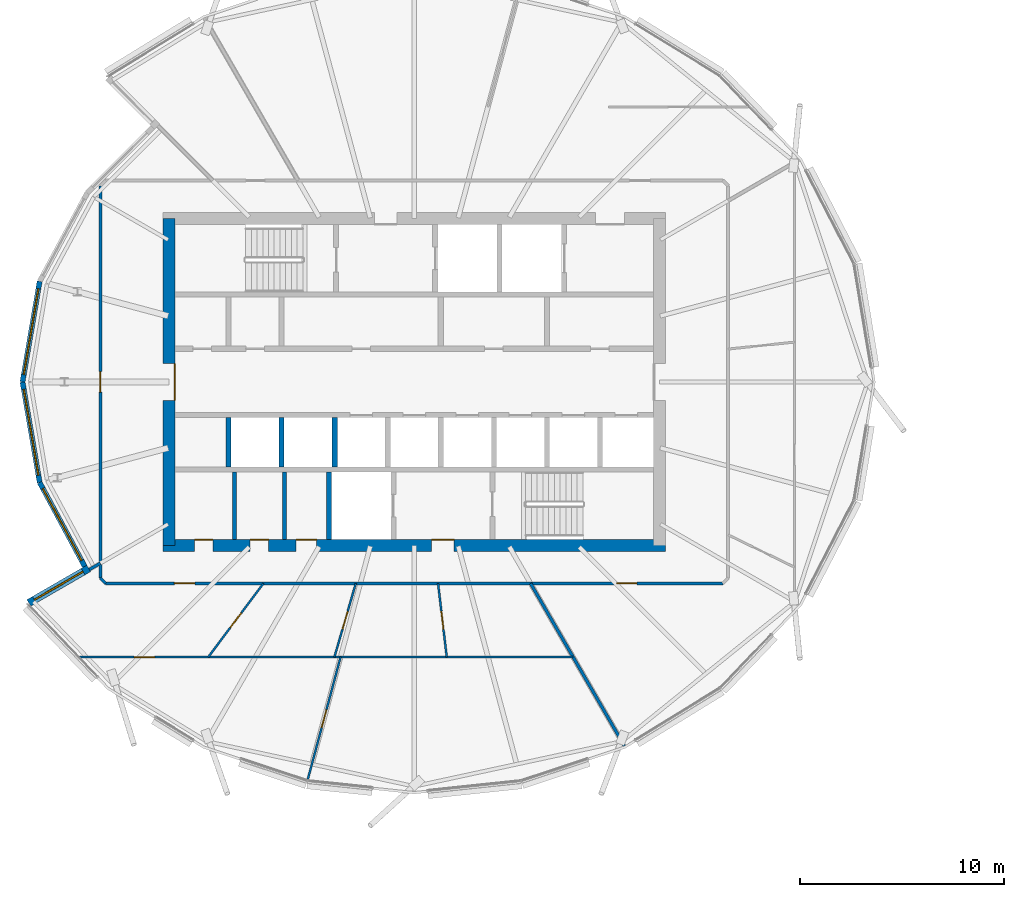
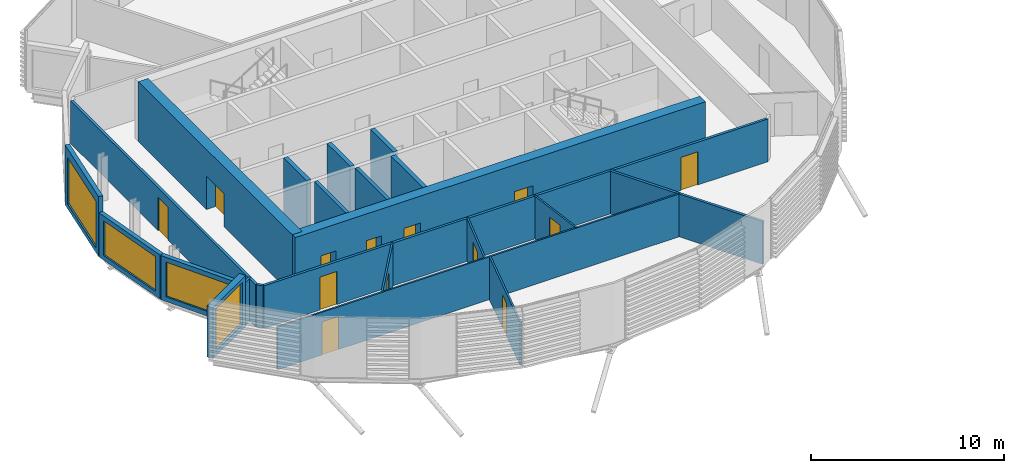
# One storey, part 19 of 37: 23 walls, 13 doors, 4 windows, 17 openings.
"""IFC4 building model written with IfcOpenShell, lengths in metres."""

from ifc_helpers import new_model, si_unit, direction, frame, frame_2d, origin, place, context, subcontext, project, spatial, rectangle, extrude, material, layer, layer_set, type_object, element, fill, save


model = new_model("IFC4")

# Units and contexts
model_context = context("Model", 3, precision=1e-05, world=origin(), true_north=direction((0.0, 1.0)))
body_context = subcontext(model_context, "Body", "Model", "MODEL_VIEW")
ifc_project = project(units=[si_unit("LENGTHUNIT", "METRE"), si_unit("AREAUNIT", "SQUARE_METRE"), si_unit("VOLUMEUNIT", "CUBIC_METRE"), si_unit("PLANEANGLEUNIT", "RADIAN"), si_unit("MASSUNIT", "GRAM", prefix="KILO")], contexts=[model_context])

# Site, building, storey
site_placement = place(None, origin())
site = spatial("IfcSite", under=ifc_project, at=site_placement, CompositionType="ELEMENT")
building_placement = place(site_placement, origin())
building = spatial("IfcBuilding", under=site, at=building_placement, Name="Rimbun Link Towers", CompositionType="ELEMENT")
storey_placement = place(building_placement, frame((0.0, 0.0, 166.5)))
storey = spatial("IfcBuildingStorey", under=building, at=storey_placement, Name="L40", CompositionType="ELEMENT", Elevation=166.5)

# Wall, opening, window
ifc_material_1 = material(Name="Dark enamelled glass spandrel on insulated aluminium backpan", Category="aluminium")
ifc_layer_1 = layer(ifc_material_1, 0.25)
ifc_layer_set_1 = layer_set([ifc_layer_1], Name="CS dark enamelled spandrel wall 250")
wall_type_1 = type_object("IfcWallType", Name="CS dark enamelled spandrel wall 250", PredefinedType="STANDARD", material=ifc_layer_set_1)
wall_1_placement = place(storey_placement, frame((-50.912841796875, 0.0, 0.0), z_axis=(0.0, 0.0, 1.0), x_axis=(0.167960198428, 0.985793777493, 0.0)))
wall_1 = element("IfcWall", 1, at=wall_1_placement, inside=storey, type_object=wall_type_1, Name="Crease spandrel wall", PredefinedType="STANDARD", context=body_context, shape_type="SweptSolid", body=[
    extrude(rectangle(XDim=4.989990234375, YDim=0.25, at=frame_2d((2.4951171875, 0.0))), origin(), (0.0, 0.0, 1.0), 3.800048828125),
])
opening_1_placement = place(wall_1_placement, frame((0.3701171875, 0.0, 0.300048828125)))
opening_1 = element("IfcOpeningElement", 2, at=opening_1_placement, cuts=wall_1, Name="Opening WR42H295", PredefinedType="OPENING", context=body_context, shape_type="SweptSolid", body=[
    extrude(rectangle(XDim=4.25, YDim=2.949951171875, at=frame_2d((2.125, 1.47509765625))), frame((0.0, 0.135009765625, 0.0), z_axis=(0.0, -1.0, 0.0), x_axis=(1.0, 0.0, 0.0)), (0.0, 0.0, 1.0), 0.27001953125),
])
ifc_material_2 = material(Name="Aluminium framed fixed window, dark tinted low-e glass", Category="aluminium")
window_type_1 = type_object("IfcWindowType", Name="WR ribbon window 4250X2950", PartitioningType="SINGLE_PANEL", PredefinedType="WINDOW", material=ifc_material_2)
window_1_placement = place(opening_1_placement, origin())
window_1 = element("IfcWindow", 3, at=window_1_placement, inside=storey, type_object=window_type_1, Name="Crease ribbon window", OverallHeight=2.949951171875, OverallWidth=4.25, PartitioningType="SINGLE_PANEL", PredefinedType="WINDOW", context=body_context, shape_type="SweptSolid", body=[
    extrude(rectangle(XDim=4.25, YDim=2.949951171875, at=frame_2d((2.125, 1.47509765625))), frame((0.0, 0.030029296875, 0.0), z_axis=(0.0, -1.0, 0.0), x_axis=(1.0, 0.0, 0.0)), (0.0, 0.0, 1.0), 0.06005859375),
])
fill(opening_1, window_1)

wall_2_placement = place(storey_placement, frame((-50.07470703125, -4.919189453125, 0.0), z_axis=(0.0, 0.0, 1.0), x_axis=(-0.167960198428, 0.985793777493, 0.0)))
wall_2 = element("IfcWall", 4, at=wall_2_placement, inside=storey, type_object=wall_type_1, Name="Crease spandrel wall", PredefinedType="STANDARD", context=body_context, shape_type="SweptSolid", body=[
    extrude(rectangle(XDim=4.989990234375, YDim=0.25, at=frame_2d((2.4951171875, 0.0))), origin(), (0.0, 0.0, 1.0), 2.79931640625),
])
opening_2_placement = place(wall_2_placement, frame((0.3701171875, 0.0, 0.300048828125)))
opening_2 = element("IfcOpeningElement", 5, at=opening_2_placement, cuts=wall_2, Name="Opening WR42H220", PredefinedType="OPENING", context=body_context, shape_type="SweptSolid", body=[
    extrude(rectangle(XDim=4.25, YDim=2.199951171875, at=frame_2d((2.125, 1.10009765625))), frame((0.0, 0.135009765625, 0.0), z_axis=(0.0, -1.0, 0.0), x_axis=(1.0, 0.0, 0.0)), (0.0, 0.0, 1.0), 0.27001953125),
])
ifc_material_3 = material(Name="Aluminium framed fixed window, dark tinted low-e glass", Category="aluminium")
window_type_2 = type_object("IfcWindowType", Name="WR ribbon window 4250X2200", PartitioningType="SINGLE_PANEL", PredefinedType="WINDOW", material=ifc_material_3)
window_2_placement = place(opening_2_placement, origin())
window_2 = element("IfcWindow", 6, at=window_2_placement, inside=storey, type_object=window_type_2, Name="Crease ribbon window", OverallHeight=2.199951171875, OverallWidth=4.25, PartitioningType="SINGLE_PANEL", PredefinedType="WINDOW", context=body_context, shape_type="SweptSolid", body=[
    extrude(rectangle(XDim=4.25, YDim=2.199951171875, at=frame_2d((2.125, 1.10009765625))), frame((0.0, 0.030029296875, 0.0), z_axis=(0.0, -1.0, 0.0), x_axis=(1.0, 0.0, 0.0)), (0.0, 0.0, 1.0), 0.06005859375),
])
fill(opening_2, window_2)

wall_3_placement = place(storey_placement, frame((-47.872314453125, -9.01953125, 0.0), z_axis=(0.0, 0.0, 1.0), x_axis=(-0.473186197198, 0.880962441186, 0.0)))
wall_3 = element("IfcWall", 7, at=wall_3_placement, inside=storey, type_object=wall_type_1, Name="Crease spandrel wall", PredefinedType="STANDARD", context=body_context, shape_type="SweptSolid", body=[
    extrude(rectangle(XDim=4.654296875, YDim=0.25, at=frame_2d((2.3271484375, 0.0))), origin(), (0.0, 0.0, 1.0), 2.79931640625),
])
opening_3_placement = place(wall_3_placement, frame((0.3271484375, 0.0, 0.300048828125)))
opening_3 = element("IfcOpeningElement", 8, at=opening_3_placement, cuts=wall_3, Name="Opening WR40H220", PredefinedType="OPENING", context=body_context, shape_type="SweptSolid", body=[
    extrude(rectangle(XDim=4.0, YDim=2.199951171875, at=frame_2d((2.0, 1.10009765625))), frame((0.0, 0.135009765625, 0.0), z_axis=(0.0, -1.0, 0.0), x_axis=(1.0, 0.0, 0.0)), (0.0, 0.0, 1.0), 0.27001953125),
])
ifc_material_4 = material(Name="Aluminium framed fixed window, dark tinted low-e glass", Category="aluminium")
window_type_3 = type_object("IfcWindowType", Name="WR ribbon window 4000X2200", PartitioningType="SINGLE_PANEL", PredefinedType="WINDOW", material=ifc_material_4)
window_3_placement = place(opening_3_placement, origin())
window_3 = element("IfcWindow", 9, at=window_3_placement, inside=storey, type_object=window_type_3, Name="Crease ribbon window", OverallHeight=2.199951171875, OverallWidth=4.0, PartitioningType="SINGLE_PANEL", PredefinedType="WINDOW", context=body_context, shape_type="SweptSolid", body=[
    extrude(rectangle(XDim=4.0, YDim=2.199951171875, at=frame_2d((2.0, 1.10009765625))), frame((0.0, 0.030029296875, 0.0), z_axis=(0.0, -1.0, 0.0), x_axis=(1.0, 0.0, 0.0)), (0.0, 0.0, 1.0), 0.06005859375),
])
fill(opening_3, window_3)

ifc_material_5 = material(Name="Dark enamelled glass spandrel on insulated aluminium backpan", Category="aluminium")
ifc_layer_2 = layer(ifc_material_5, 0.3701171875)
ifc_layer_set_2 = layer_set([ifc_layer_2], Name="CS dark enamelled spandrel wall 370")
wall_type_2 = type_object("IfcWallType", Name="CS dark enamelled spandrel wall 370", PredefinedType="STANDARD", material=ifc_layer_set_2)
wall_4_placement = place(storey_placement, frame((-50.60546875, -10.81103515625, 0.0), z_axis=(0.0, 0.0, 1.0), x_axis=(0.866038843867, 0.499976720371, 0.0)))
wall_4 = element("IfcWall", 10, at=wall_4_placement, inside=storey, type_object=wall_type_2, Name="Crease spandrel wall", PredefinedType="STANDARD", context=body_context, shape_type="SweptSolid", body=[
    extrude(rectangle(XDim=3.380126953125, YDim=0.3701171875, at=frame_2d((1.68994140625, 0.0))), origin(), (0.0, 0.0, 1.0), 3.233642578125),
])
opening_4_placement = place(wall_4_placement, frame((0.31494140625, 0.0, 0.300048828125)))
opening_4 = element("IfcOpeningElement", 11, at=opening_4_placement, cuts=wall_4, Name="Opening WR28H270", PredefinedType="OPENING", context=body_context, shape_type="SweptSolid", body=[
    extrude(rectangle(XDim=2.75, YDim=2.699951171875, at=frame_2d((1.375, 1.35009765625))), frame((0.0, 0.195068359375, 0.0), z_axis=(0.0, -1.0, 0.0), x_axis=(1.0, 0.0, 0.0)), (0.0, 0.0, 1.0), 0.39013671875),
])
ifc_material_6 = material(Name="Aluminium framed fixed window, dark tinted low-e glass", Category="aluminium")
window_type_4 = type_object("IfcWindowType", Name="WR ribbon window 2750X2700", PartitioningType="SINGLE_PANEL", PredefinedType="WINDOW", material=ifc_material_6)
window_4_placement = place(opening_4_placement, origin())
window_4 = element("IfcWindow", 12, at=window_4_placement, inside=storey, type_object=window_type_4, Name="Crease ribbon window", OverallHeight=2.699951171875, OverallWidth=2.75, PartitioningType="SINGLE_PANEL", PredefinedType="WINDOW", context=body_context, shape_type="SweptSolid", body=[
    extrude(rectangle(XDim=2.75, YDim=2.699951171875, at=frame_2d((1.375, 1.35009765625))), frame((0.0, 0.030029296875, 0.0), z_axis=(0.0, -1.0, 0.0), x_axis=(1.0, 0.0, 0.0)), (0.0, 0.0, 1.0), 0.06005859375),
])
fill(opening_4, window_4)

# Walls
ifc_material_7 = material(Name="Masonry blockwork", Category="masonry")
ifc_layer_3 = layer(ifc_material_7, 0.199951171875)
ifc_layer_set_3 = layer_set([ifc_layer_3], Name="Core partition 200")
wall_type_3 = type_object("IfcWallType", Name="Core partition 200", PredefinedType="PARTITIONING", material=ifc_layer_set_3)
for number, where, z_axis, x_axis, name in (
    (13, (-40.550048828125, -4.39990234375, 0.0), (0.0, 0.0, 1.0), (0.0, -1.0, 0.0), "L40 T1 core wall C1"),
    (14, (-38.10009765625, -4.39990234375, 0.0), (0.0, 0.0, 1.0), (0.0, -1.0, 0.0), "L40 T1 core wall C2"),
):
    element("IfcWall", number, at=place(storey_placement, frame(where, z_axis=z_axis, x_axis=x_axis)), inside=storey, type_object=wall_type_3, Name=name, PredefinedType="PARTITIONING", context=body_context, shape_type="SweptSolid", body=[
        extrude(rectangle(XDim=3.300048828125, YDim=0.199951171875, at=frame_2d((1.64990234375, 0.0))), origin(), (0.0, 0.0, 1.0), 3.800048828125),
    ])

# Wall, openings, doors
ifc_material_8 = material(Name="Concrete C60/75", Category="concrete")
ifc_layer_4 = layer(ifc_material_8, 0.60009765625)
ifc_layer_set_4 = layer_set([ifc_layer_4], Name="Core shear wall 600")
wall_type_4 = type_object("IfcWallType", Name="Core shear wall 600", PredefinedType="SHEAR", material=ifc_layer_set_4)
wall_5_placement = place(storey_placement, frame((-44.050048828125, -8.0, 0.0), z_axis=(0.0, 0.0, 1.0), x_axis=(1.0, 0.0, 0.0)))
wall_5 = element("IfcWall", 15, at=wall_5_placement, inside=storey, type_object=wall_type_4, Name="L40 T1 core wall S", PredefinedType="SHEAR", context=body_context, shape_type="SweptSolid", body=[
    extrude(rectangle(XDim=24.60009765625, YDim=0.60009765625, at=frame_2d((12.300048828125, 0.0))), origin(), (0.0, 0.0, 1.0), 3.800048828125),
])
opening_5_placement = place(wall_5_placement, frame((13.14990234375, 0.0, 0.0)))
opening_5 = element("IfcOpeningElement", 16, at=opening_5_placement, cuts=wall_5, Name="Opening C1DCF01S", PredefinedType="OPENING", context=body_context, shape_type="SweptSolid", body=[
    extrude(rectangle(XDim=1.10009765625, YDim=2.10009765625, at=frame_2d((0.550048828125, 1.050048828125))), frame((0.0, 0.31005859375, 0.0), z_axis=(0.0, -1.0, 0.0), x_axis=(1.0, 0.0, 0.0)), (0.0, 0.0, 1.0), 0.6201171875),
])
opening_6_placement = place(wall_5_placement, frame((1.550048828125, 0.0, 0.0)))
opening_6 = element("IfcOpeningElement", 17, at=opening_6_placement, cuts=wall_5, Name="Opening C1DWC02S", PredefinedType="OPENING", context=body_context, shape_type="SweptSolid", body=[
    extrude(rectangle(XDim=0.89990234375, YDim=2.10009765625, at=frame_2d((0.449951171875, 1.050048828125))), frame((0.0, 0.31005859375, 0.0), z_axis=(0.0, -1.0, 0.0), x_axis=(1.0, 0.0, 0.0)), (0.0, 0.0, 1.0), 0.6201171875),
])
opening_7_placement = place(wall_5_placement, frame((4.27490234375, 0.0, 0.0)))
opening_7 = element("IfcOpeningElement", 18, at=opening_7_placement, cuts=wall_5, Name="Opening C1DWC03S", PredefinedType="OPENING", context=body_context, shape_type="SweptSolid", body=[
    extrude(rectangle(XDim=0.89990234375, YDim=2.10009765625, at=frame_2d((0.449951171875, 1.050048828125))), frame((0.0, 0.31005859375, 0.0), z_axis=(0.0, -1.0, 0.0), x_axis=(1.0, 0.0, 0.0)), (0.0, 0.0, 1.0), 0.6201171875),
])
opening_8_placement = place(wall_5_placement, frame((6.52490234375, 0.0, 0.0)))
opening_8 = element("IfcOpeningElement", 19, at=opening_8_placement, cuts=wall_5, Name="Opening C1DAW04S", PredefinedType="OPENING", context=body_context, shape_type="SweptSolid", body=[
    extrude(rectangle(XDim=1.0, YDim=2.10009765625, at=frame_2d((0.5, 1.050048828125))), frame((0.0, 0.31005859375, 0.0), z_axis=(0.0, -1.0, 0.0), x_axis=(1.0, 0.0, 0.0)), (0.0, 0.0, 1.0), 0.6201171875),
])
ifc_material_9 = material(Name="Timber", Category="wood")
door_type_1 = type_object("IfcDoorType", Name="Accessible WC door", OperationType="SINGLE_SWING_LEFT", PredefinedType="DOOR", material=ifc_material_9)
door_1_placement = place(opening_8_placement, origin())
door_1 = element("IfcDoor", 20, at=door_1_placement, inside=storey, type_object=door_type_1, Name="L40 T1 accessible wc door", OperationType="SINGLE_SWING_RIGHT", OverallHeight=2.10009765625, OverallWidth=1.0, PredefinedType="DOOR", context=body_context, shape_type="SweptSolid", body=[
    extrude(rectangle(XDim=1.0, YDim=2.10009765625, at=frame_2d((0.5, 1.050048828125))), frame((0.0, 0.2998046875, 0.0), z_axis=(0.0, -1.0, 0.0), x_axis=(1.0, 0.0, 0.0)), (0.0, 0.0, 1.0), 0.050048828125),
])
fill(opening_8, door_1)
ifc_material_10 = material(Name="Steel fire door set", Category="steel")
door_type_2 = type_object("IfcDoorType", Name="Core fire door single", OperationType="SINGLE_SWING_LEFT", PredefinedType="DOOR", material=ifc_material_10)
door_2_placement = place(opening_5_placement, origin())
door_2 = element("IfcDoor", 21, at=door_2_placement, inside=storey, type_object=door_type_2, Name="L40 T1 firefighting lobby s door", OperationType="SINGLE_SWING_LEFT", OverallHeight=2.10009765625, OverallWidth=1.10009765625, PredefinedType="DOOR", context=body_context, shape_type="SweptSolid", body=[
    extrude(rectangle(XDim=1.10009765625, YDim=2.10009765625, at=frame_2d((0.550048828125, 1.050048828125))), frame((0.0, 0.2998046875, 0.0), z_axis=(0.0, -1.0, 0.0), x_axis=(1.0, 0.0, 0.0)), (0.0, 0.0, 1.0), 0.050048828125),
])
fill(opening_5, door_2)
ifc_material_11 = material(Name="Timber", Category="wood")
door_type_3 = type_object("IfcDoorType", Name="WC door", OperationType="SINGLE_SWING_LEFT", PredefinedType="DOOR", material=ifc_material_11)
door_3_placement = place(opening_6_placement, origin())
door_3 = element("IfcDoor", 22, at=door_3_placement, inside=storey, type_object=door_type_3, Name="L40 T1 male wc door", OperationType="SINGLE_SWING_RIGHT", OverallHeight=2.10009765625, OverallWidth=0.89990234375, PredefinedType="DOOR", context=body_context, shape_type="SweptSolid", body=[
    extrude(rectangle(XDim=0.89990234375, YDim=2.10009765625, at=frame_2d((0.449951171875, 1.050048828125))), frame((0.0, 0.2998046875, 0.0), z_axis=(0.0, -1.0, 0.0), x_axis=(1.0, 0.0, 0.0)), (0.0, 0.0, 1.0), 0.050048828125),
])
fill(opening_6, door_3)
door_4_placement = place(opening_7_placement, origin())
door_4 = element("IfcDoor", 23, at=door_4_placement, inside=storey, type_object=door_type_3, Name="L40 T1 female wc door", OperationType="SINGLE_SWING_RIGHT", OverallHeight=2.10009765625, OverallWidth=0.89990234375, PredefinedType="DOOR", context=body_context, shape_type="SweptSolid", body=[
    extrude(rectangle(XDim=0.89990234375, YDim=2.10009765625, at=frame_2d((0.449951171875, 1.050048828125))), frame((0.0, 0.2998046875, 0.0), z_axis=(0.0, -1.0, 0.0), x_axis=(1.0, 0.0, 0.0)), (0.0, 0.0, 1.0), 0.050048828125),
])
fill(opening_7, door_4)

# Wall, opening, door
wall_6_placement = place(storey_placement, frame((-43.75, -8.0, 0.0), z_axis=(0.0, 0.0, 1.0), x_axis=(0.0, 1.0, 0.0)))
wall_6 = element("IfcWall", 24, at=wall_6_placement, inside=storey, type_object=wall_type_4, Name="L40 T1 core wall W", PredefinedType="SHEAR", context=body_context, shape_type="SweptSolid", body=[
    extrude(rectangle(XDim=16.0, YDim=0.60009765625, at=frame_2d((8.0, 0.0))), origin(), (0.0, 0.0, 1.0), 3.800048828125),
])
opening_9_placement = place(wall_6_placement, frame((7.10009765625, 0.0, 0.0)))
opening_9 = element("IfcOpeningElement", 25, at=opening_9_placement, cuts=wall_6, Name="Opening C1DCL01W", PredefinedType="OPENING", context=body_context, shape_type="SweptSolid", body=[
    extrude(rectangle(XDim=1.800048828125, YDim=2.10009765625, at=frame_2d((0.89990234375, 1.050048828125))), frame((0.0, 0.31005859375, 0.0), z_axis=(0.0, -1.0, 0.0), x_axis=(1.0, 0.0, 0.0)), (0.0, 0.0, 1.0), 0.6201171875),
])
ifc_material_12 = material(Name="Steel fire door set", Category="steel")
door_type_4 = type_object("IfcDoorType", Name="Core lobby door double", OperationType="DOUBLE_DOOR_SINGLE_SWING", PredefinedType="DOOR", material=ifc_material_12)
door_5_placement = place(opening_9_placement, origin())
door_5 = element("IfcDoor", 26, at=door_5_placement, inside=storey, type_object=door_type_4, Name="L40 T1 lift lobby door", OperationType="DOUBLE_DOOR_SINGLE_SWING", OverallHeight=2.10009765625, OverallWidth=1.800048828125, PredefinedType="DOOR", context=body_context, shape_type="SweptSolid", body=[
    extrude(rectangle(XDim=1.800048828125, YDim=2.10009765625, at=frame_2d((0.89990234375, 1.050048828125))), frame((0.0, -0.25, 0.0), z_axis=(0.0, -1.0, 0.0), x_axis=(1.0, 0.0, 0.0)), (0.0, 0.0, 1.0), 0.050048828125),
])
fill(opening_9, door_5)

# Wall, openings, doors
ifc_material_13 = material(Name="Plasterboard on steel stud, mineral wool", Category="steel")
ifc_layer_5 = layer(ifc_material_13, 0.14990234375)
ifc_layer_set_5 = layer_set([ifc_layer_5], Name="Corridor wall EI 30 150 mm")
wall_type_5 = type_object("IfcWallType", Name="Corridor wall EI 30 150 mm", PredefinedType="PARTITIONING", material=ifc_layer_set_5)
wall_7_placement = place(storey_placement, frame((-16.65625, -9.85498046875, 0.0), z_axis=(0.0, 0.0, 1.0), x_axis=(-1.0, 0.0, 0.0)))
wall_7 = element("IfcWall", 27, at=wall_7_placement, inside=storey, type_object=wall_type_5, Name="Corridor wall EI 30 150 mm", PredefinedType="PARTITIONING", context=body_context, shape_type="SweptSolid", body=[
    extrude(rectangle(XDim=30.1875, YDim=0.14990234375, at=frame_2d((15.09375, 0.0))), origin(), (0.0, 0.0, 1.0), 2.7119140625),
])
opening_10_placement = place(wall_7_placement, frame((25.830810546875, 0.0, 0.0)))
opening_10 = element("IfcOpeningElement", 28, at=opening_10_placement, cuts=wall_7, Name="Opening D01", PredefinedType="OPENING", context=body_context, shape_type="SweptSolid", body=[
    extrude(rectangle(XDim=1.0, YDim=2.10009765625, at=frame_2d((0.5, 1.050048828125))), frame((0.0, 0.0849609375, 0.0), z_axis=(0.0, -1.0, 0.0), x_axis=(1.0, 0.0, 0.0)), (0.0, 0.0, 1.0), 0.169921875),
])
opening_11_placement = place(wall_7_placement, frame((4.201904296875, 0.0, 0.0)))
opening_11 = element("IfcOpeningElement", 29, at=opening_11_placement, cuts=wall_7, Name="Opening D01", PredefinedType="OPENING", context=body_context, shape_type="SweptSolid", body=[
    extrude(rectangle(XDim=1.0, YDim=2.10009765625, at=frame_2d((0.5, 1.050048828125))), frame((0.0, 0.0849609375, 0.0), z_axis=(0.0, -1.0, 0.0), x_axis=(1.0, 0.0, 0.0)), (0.0, 0.0, 1.0), 0.169921875),
])
ifc_material_14 = material(Name="Fire-resisting timber door leaf", Category="wood")
door_type_5 = type_object("IfcDoorType", Name="Fire door FD30S 1000", OperationType="NOTDEFINED", PredefinedType="DOOR", material=ifc_material_14)
door_6_placement = place(opening_10_placement, origin())
door_6 = element("IfcDoor", 30, at=door_6_placement, inside=storey, type_object=door_type_5, Name="Fire door FD30S 1000 to Tenant lobby", OperationType="SINGLE_SWING_LEFT", OverallHeight=2.10009765625, OverallWidth=1.0, PredefinedType="DOOR", context=body_context, shape_type="SweptSolid", body=[
    extrude(rectangle(XDim=1.0, YDim=2.10009765625, at=frame_2d((0.5, 1.050048828125))), frame((0.0, 0.02490234375, 0.0), z_axis=(0.0, -1.0, 0.0), x_axis=(1.0, 0.0, 0.0)), (0.0, 0.0, 1.0), 0.050048828125),
])
fill(opening_10, door_6)
door_7_placement = place(opening_11_placement, origin())
door_7 = element("IfcDoor", 31, at=door_7_placement, inside=storey, type_object=door_type_5, Name="Fire door FD30S 1000 to Tenant lobby", OperationType="SINGLE_SWING_RIGHT", OverallHeight=2.10009765625, OverallWidth=1.0, PredefinedType="DOOR", context=body_context, shape_type="SweptSolid", body=[
    extrude(rectangle(XDim=1.0, YDim=2.10009765625, at=frame_2d((0.5, 1.050048828125))), frame((0.0, 0.02490234375, 0.0), z_axis=(0.0, -1.0, 0.0), x_axis=(1.0, 0.0, 0.0)), (0.0, 0.0, 1.0), 0.050048828125),
])
fill(opening_11, door_7)

# Wall
wall_8_placement = place(storey_placement, frame((-47.10498046875, -9.59375, 0.0), z_axis=(0.0, 0.0, 1.0), x_axis=(0.707106781187, -0.707106781187, 0.0)))
element("IfcWall", 32, at=wall_8_placement, inside=storey, type_object=wall_type_5, Name="Corridor wall EI 30 150 mm", PredefinedType="PARTITIONING", context=body_context, shape_type="SweptSolid", body=[
    extrude(rectangle(XDim=0.369384765625, YDim=0.14990234375, at=frame_2d((0.1845703125, 0.0))), origin(), (0.0, 0.0, 1.0), 2.7119140625),
])

# Wall, opening, door
wall_9_placement = place(storey_placement, frame((-47.10498046875, -9.59375, 0.0), z_axis=(0.0, 0.0, 1.0), x_axis=(0.0, 1.0, 0.0)))
wall_9 = element("IfcWall", 33, at=wall_9_placement, inside=storey, type_object=wall_type_5, Name="Corridor wall EI 30 150 mm", PredefinedType="PARTITIONING", context=body_context, shape_type="SweptSolid", body=[
    extrude(rectangle(XDim=19.1875, YDim=0.14990234375, at=frame_2d((9.59375, 0.0))), origin(), (0.0, 0.0, 1.0), 2.7119140625),
])
opening_12_placement = place(wall_9_placement, frame((9.09375, 0.0, 0.0)))
opening_12 = element("IfcOpeningElement", 34, at=opening_12_placement, cuts=wall_9, Name="Opening D01", PredefinedType="OPENING", context=body_context, shape_type="SweptSolid", body=[
    extrude(rectangle(XDim=1.0, YDim=2.10009765625, at=frame_2d((0.5, 1.050048828125))), frame((0.0, 0.0849609375, 0.0), z_axis=(0.0, -1.0, 0.0), x_axis=(1.0, 0.0, 0.0)), (0.0, 0.0, 1.0), 0.169921875),
])
door_8_placement = place(opening_12_placement, origin())
door_8 = element("IfcDoor", 35, at=door_8_placement, inside=storey, type_object=door_type_5, Name="Fire door FD30S 1000 to Terrace office", OperationType="SINGLE_SWING_LEFT", OverallHeight=2.10009765625, OverallWidth=1.0, PredefinedType="DOOR", context=body_context, shape_type="SweptSolid", body=[
    extrude(rectangle(XDim=1.0, YDim=2.10009765625, at=frame_2d((0.5, 1.050048828125))), frame((0.0, 0.02490234375, 0.0), z_axis=(0.0, -1.0, 0.0), x_axis=(1.0, 0.0, 0.0)), (0.0, 0.0, 1.0), 0.050048828125),
])
fill(opening_12, door_8)

ifc_material_15 = material(Name="Plasterboard on steel stud", Category="steel")
ifc_layer_6 = layer(ifc_material_15, 0.10009765625)
ifc_layer_set_6 = layer_set([ifc_layer_6], Name="Plasterboard partition 100 mm")
wall_type_6 = type_object("IfcWallType", Name="Plasterboard partition 100 mm", PredefinedType="PARTITIONING", material=ifc_layer_set_6)
wall_10_placement = place(storey_placement, frame((-39.130859375, -9.85498046875, 0.0), z_axis=(0.0, 0.0, 1.0), x_axis=(-0.599426637137, -0.800429701279, 0.0)))
wall_10 = element("IfcWall", 36, at=wall_10_placement, inside=storey, type_object=wall_type_6, Name="Plasterboard partition 100 mm", PredefinedType="PARTITIONING", context=body_context, shape_type="SweptSolid", body=[
    extrude(rectangle(XDim=4.497802734375, YDim=0.10009765625, at=frame_2d((2.2490234375, 0.0))), origin(), (0.0, 0.0, 1.0), 2.7119140625),
])
opening_13_placement = place(wall_10_placement, frame((1.798828125, 0.0, 0.0)))
opening_13 = element("IfcOpeningElement", 37, at=opening_13_placement, cuts=wall_10, Name="Opening D04", PredefinedType="OPENING", context=body_context, shape_type="SweptSolid", body=[
    extrude(rectangle(XDim=0.89990234375, YDim=2.10009765625, at=frame_2d((0.449951171875, 1.050048828125))), frame((0.0, 0.06005859375, 0.0), z_axis=(0.0, -1.0, 0.0), x_axis=(1.0, 0.0, 0.0)), (0.0, 0.0, 1.0), 0.1201171875),
])
ifc_material_16 = material(Name="Timber door leaf", Category="wood")
door_type_6 = type_object("IfcDoorType", Name="Flush door 900", OperationType="NOTDEFINED", PredefinedType="DOOR", material=ifc_material_16)
door_9_placement = place(opening_13_placement, origin())
door_9 = element("IfcDoor", 38, at=door_9_placement, inside=storey, type_object=door_type_6, Name="Flush door 900 to Huddle room", OperationType="SINGLE_SWING_RIGHT", OverallHeight=2.10009765625, OverallWidth=0.89990234375, PredefinedType="DOOR", context=body_context, shape_type="SweptSolid", body=[
    extrude(rectangle(XDim=0.89990234375, YDim=2.10009765625, at=frame_2d((0.449951171875, 1.050048828125))), frame((0.0, 0.02490234375, 0.0), z_axis=(0.0, -1.0, 0.0), x_axis=(1.0, 0.0, 0.0)), (0.0, 0.0, 1.0), 0.050048828125),
])
fill(opening_13, door_9)

wall_11_placement = place(storey_placement, frame((-35.355224609375, -13.455078125, 0.0), z_axis=(0.0, 0.0, 1.0), x_axis=(-1.0, 0.0, 0.0)))
wall_11 = element("IfcWall", 39, at=wall_11_placement, inside=storey, type_object=wall_type_6, Name="Plasterboard partition 100 mm", PredefinedType="PARTITIONING", context=body_context, shape_type="SweptSolid", body=[
    extrude(rectangle(XDim=12.763671875, YDim=0.10009765625, at=frame_2d((6.3818359375, 0.0))), origin(), (0.0, 0.0, 1.0), 2.7119140625),
])
opening_14_placement = place(wall_11_placement, frame((9.098876953125, 0.0, 0.0)))
opening_14 = element("IfcOpeningElement", 40, at=opening_14_placement, cuts=wall_11, Name="Opening D03", PredefinedType="OPENING", context=body_context, shape_type="SweptSolid", body=[
    extrude(rectangle(XDim=1.0, YDim=2.10009765625, at=frame_2d((0.5, 1.050048828125))), frame((0.0, 0.06005859375, 0.0), z_axis=(0.0, -1.0, 0.0), x_axis=(1.0, 0.0, 0.0)), (0.0, 0.0, 1.0), 0.1201171875),
])
ifc_material_17 = material(Name="Timber door leaf", Category="wood")
door_type_7 = type_object("IfcDoorType", Name="Flush door 1000", OperationType="NOTDEFINED", PredefinedType="DOOR", material=ifc_material_17)
door_10_placement = place(opening_14_placement, origin())
door_10 = element("IfcDoor", 41, at=door_10_placement, inside=storey, type_object=door_type_7, Name="Flush door 1000 to Open office", OperationType="SINGLE_SWING_LEFT", OverallHeight=2.10009765625, OverallWidth=1.0, PredefinedType="DOOR", context=body_context, shape_type="SweptSolid", body=[
    extrude(rectangle(XDim=1.0, YDim=2.10009765625, at=frame_2d((0.5, 1.050048828125))), frame((0.0, 0.02490234375, 0.0), z_axis=(0.0, -1.0, 0.0), x_axis=(1.0, 0.0, 0.0)), (0.0, 0.0, 1.0), 0.050048828125),
])
fill(opening_14, door_10)

wall_12_placement = place(storey_placement, frame((-34.611083984375, -9.85498046875, 0.0), z_axis=(0.0, 0.0, 1.0), x_axis=(-0.27880438227, -0.960347914262, 0.0)))
wall_12 = element("IfcWall", 42, at=wall_12_placement, inside=storey, type_object=wall_type_6, Name="Plasterboard partition 100 mm", PredefinedType="PARTITIONING", context=body_context, shape_type="SweptSolid", body=[
    extrude(rectangle(XDim=3.748779296875, YDim=0.10009765625, at=frame_2d((1.87451171875, 0.0))), origin(), (0.0, 0.0, 1.0), 2.7119140625),
])
opening_15_placement = place(wall_12_placement, frame((1.42431640625, 0.0, 0.0)))
opening_15 = element("IfcOpeningElement", 43, at=opening_15_placement, cuts=wall_12, Name="Opening D04", PredefinedType="OPENING", context=body_context, shape_type="SweptSolid", body=[
    extrude(rectangle(XDim=0.89990234375, YDim=2.10009765625, at=frame_2d((0.449951171875, 1.050048828125))), frame((0.0, 0.06005859375, 0.0), z_axis=(0.0, -1.0, 0.0), x_axis=(1.0, 0.0, 0.0)), (0.0, 0.0, 1.0), 0.1201171875),
])
door_11_placement = place(opening_15_placement, origin())
door_11 = element("IfcDoor", 44, at=door_11_placement, inside=storey, type_object=door_type_6, Name="Flush door 900 to Huddle room", OperationType="SINGLE_SWING_RIGHT", OverallHeight=2.10009765625, OverallWidth=0.89990234375, PredefinedType="DOOR", context=body_context, shape_type="SweptSolid", body=[
    extrude(rectangle(XDim=0.89990234375, YDim=2.10009765625, at=frame_2d((0.449951171875, 1.050048828125))), frame((0.0, 0.02490234375, 0.0), z_axis=(0.0, -1.0, 0.0), x_axis=(1.0, 0.0, 0.0)), (0.0, 0.0, 1.0), 0.050048828125),
])
fill(opening_15, door_11)

wall_13_placement = place(storey_placement, frame((-30.586669921875, -9.85498046875, 0.0), z_axis=(0.0, 0.0, 1.0), x_axis=(0.117185104902, -0.993110090166, 0.0)))
wall_13 = element("IfcWall", 45, at=wall_13_placement, inside=storey, type_object=wall_type_6, Name="Plasterboard partition 100 mm", PredefinedType="PARTITIONING", context=body_context, shape_type="SweptSolid", body=[
    extrude(rectangle(XDim=3.625, YDim=0.10009765625, at=frame_2d((1.8125, 0.0))), origin(), (0.0, 0.0, 1.0), 2.7119140625),
])
opening_16_placement = place(wall_13_placement, frame((1.362548828125, 0.0, 0.0)))
opening_16 = element("IfcOpeningElement", 46, at=opening_16_placement, cuts=wall_13, Name="Opening D04", PredefinedType="OPENING", context=body_context, shape_type="SweptSolid", body=[
    extrude(rectangle(XDim=0.89990234375, YDim=2.10009765625, at=frame_2d((0.449951171875, 1.050048828125))), frame((0.0, 0.06005859375, 0.0), z_axis=(0.0, -1.0, 0.0), x_axis=(1.0, 0.0, 0.0)), (0.0, 0.0, 1.0), 0.1201171875),
])
door_12_placement = place(opening_16_placement, origin())
door_12 = element("IfcDoor", 47, at=door_12_placement, inside=storey, type_object=door_type_6, Name="Flush door 900 to Pantry", OperationType="SINGLE_SWING_LEFT", OverallHeight=2.10009765625, OverallWidth=0.89990234375, PredefinedType="DOOR", context=body_context, shape_type="SweptSolid", body=[
    extrude(rectangle(XDim=0.89990234375, YDim=2.10009765625, at=frame_2d((0.449951171875, 1.050048828125))), frame((0.0, 0.02490234375, 0.0), z_axis=(0.0, -1.0, 0.0), x_axis=(1.0, 0.0, 0.0)), (0.0, 0.0, 1.0), 0.050048828125),
])
fill(opening_16, door_12)

# Wall
wall_14_placement = place(storey_placement, frame((-35.355224609375, -13.455078125, 0.0), z_axis=(0.0, 0.0, 1.0), x_axis=(1.0, 0.0, 0.0)))
element("IfcWall", 48, at=wall_14_placement, inside=storey, type_object=wall_type_6, Name="Plasterboard partition 100 mm", PredefinedType="PARTITIONING", context=body_context, shape_type="SweptSolid", body=[
    extrude(rectangle(XDim=11.37353515625, YDim=0.10009765625, at=frame_2d((5.686767578125, 0.0))), origin(), (0.0, 0.0, 1.0), 2.7119140625),
])

# Wall, opening, door
wall_15_placement = place(storey_placement, frame((-35.355224609375, -13.455078125, 0.0), z_axis=(0.0, 0.0, 1.0), x_axis=(-0.25881431183, -0.965927094553, 0.0)))
wall_15 = element("IfcWall", 49, at=wall_15_placement, inside=storey, type_object=wall_type_6, Name="Plasterboard partition 100 mm", PredefinedType="PARTITIONING", context=body_context, shape_type="SweptSolid", body=[
    extrude(rectangle(XDim=6.239990234375, YDim=0.10009765625, at=frame_2d((3.1201171875, 0.0))), origin(), (0.0, 0.0, 1.0), 2.7119140625),
])
opening_17_placement = place(wall_15_placement, frame((2.669921875, 0.0, 0.0)))
opening_17 = element("IfcOpeningElement", 50, at=opening_17_placement, cuts=wall_15, Name="Opening D04", PredefinedType="OPENING", context=body_context, shape_type="SweptSolid", body=[
    extrude(rectangle(XDim=0.89990234375, YDim=2.10009765625, at=frame_2d((0.449951171875, 1.050048828125))), frame((0.0, 0.06005859375, 0.0), z_axis=(0.0, -1.0, 0.0), x_axis=(1.0, 0.0, 0.0)), (0.0, 0.0, 1.0), 0.1201171875),
])
door_13_placement = place(opening_17_placement, origin())
door_13 = element("IfcDoor", 51, at=door_13_placement, inside=storey, type_object=door_type_6, Name="Flush door 900 to Project room", OperationType="SINGLE_SWING_RIGHT", OverallHeight=2.10009765625, OverallWidth=0.89990234375, PredefinedType="DOOR", context=body_context, shape_type="SweptSolid", body=[
    extrude(rectangle(XDim=0.89990234375, YDim=2.10009765625, at=frame_2d((0.449951171875, 1.050048828125))), frame((0.0, 0.02490234375, 0.0), z_axis=(0.0, -1.0, 0.0), x_axis=(1.0, 0.0, 0.0)), (0.0, 0.0, 1.0), 0.050048828125),
])
fill(opening_17, door_13)

# Walls
ifc_material_18 = material(Name="Concrete C60/75", Category="concrete")
ifc_layer_7 = layer(ifc_material_18, 0.25)
ifc_layer_set_7 = layer_set([ifc_layer_7], Name="Shaft wall 250")
wall_type_7 = type_object("IfcWallType", Name="Shaft wall 250", PredefinedType="SHEAR", material=ifc_layer_set_7)
for number, where, z_axis, x_axis, name in (
    (52, (-40.83056640625, -4.14990234375, 0.0), (0.0, 0.0, 1.0), (0.0, 1.0, 0.0), "L40 T1 core wall DS0"),
    (53, (-38.236083984375, -4.14990234375, 0.0), (0.0, 0.0, 1.0), (0.0, 1.0, 0.0), "L40 T1 core wall DS1"),
    (54, (-35.6416015625, -4.14990234375, 0.0), (0.0, 0.0, 1.0), (0.0, 1.0, 0.0), "L40 T1 core wall DS2"),
):
    element("IfcWall", number, at=place(storey_placement, frame(where, z_axis=z_axis, x_axis=x_axis)), inside=storey, type_object=wall_type_7, Name=name, PredefinedType="SHEAR", context=body_context, shape_type="SweptSolid", body=[
        extrude(rectangle(XDim=2.39990234375, YDim=0.25, at=frame_2d((1.199951171875, 0.0))), origin(), (0.0, 0.0, 1.0), 3.800048828125),
    ])
wall_16_placement = place(storey_placement, frame((-35.925048828125, -4.39990234375, 0.0), z_axis=(0.0, 0.0, 1.0), x_axis=(0.0, -1.0, 0.0)))
element("IfcWall", 55, at=wall_16_placement, inside=storey, type_object=wall_type_7, Name="L40 T1 core wall B3", PredefinedType="SHEAR", context=body_context, shape_type="SweptSolid", body=[
    extrude(rectangle(XDim=3.300048828125, YDim=0.25, at=frame_2d((1.64990234375, 0.0))), origin(), (0.0, 0.0, 1.0), 3.800048828125),
])
ifc_material_19 = material(Name="Plasterboard on steel stud, mineral wool", Category="steel")
ifc_layer_8 = layer(ifc_material_19, 0.14990234375)
ifc_layer_set_8 = layer_set([ifc_layer_8], Name="Tenancy separation wall EI 60 150 mm")
wall_type_8 = type_object("IfcWallType", Name="Tenancy separation wall EI 60 150 mm", PredefinedType="PARTITIONING", material=ifc_layer_set_8)
wall_17_placement = place(storey_placement, frame((-47.10498046875, -8.865234375, 0.0), z_axis=(0.0, 0.0, 1.0), x_axis=(-0.865996765544, -0.500049599607, 0.0)))
element("IfcWall", 56, at=wall_17_placement, inside=storey, type_object=wall_type_8, Name="Tenancy separation wall EI 60 150 mm", PredefinedType="PARTITIONING", context=body_context, shape_type="SweptSolid", body=[
    extrude(rectangle(XDim=0.62451171875, YDim=0.14990234375, at=frame_2d((0.312255859375, 0.0))), origin(), (0.0, 0.0, 1.0), 2.7119140625),
])
wall_18_placement = place(storey_placement, frame((-26.060302734375, -9.85498046875, 0.0), z_axis=(0.0, 0.0, 1.0), x_axis=(0.500000222056, -0.866025275581, 0.0)))
element("IfcWall", 57, at=wall_18_placement, inside=storey, type_object=wall_type_8, Name="Tenancy separation wall EI 60 150 mm", PredefinedType="PARTITIONING", context=body_context, shape_type="SweptSolid", body=[
    extrude(rectangle(XDim=9.1806640625, YDim=0.14990234375, at=frame_2d((4.59033203125, 0.0))), origin(), (0.0, 0.0, 1.0), 2.7119140625),
])

save(model, "model.ifc")
